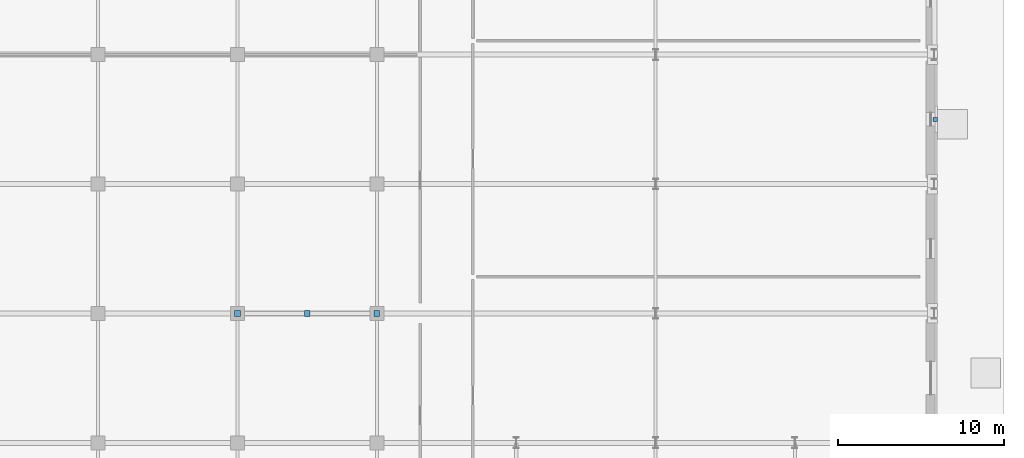
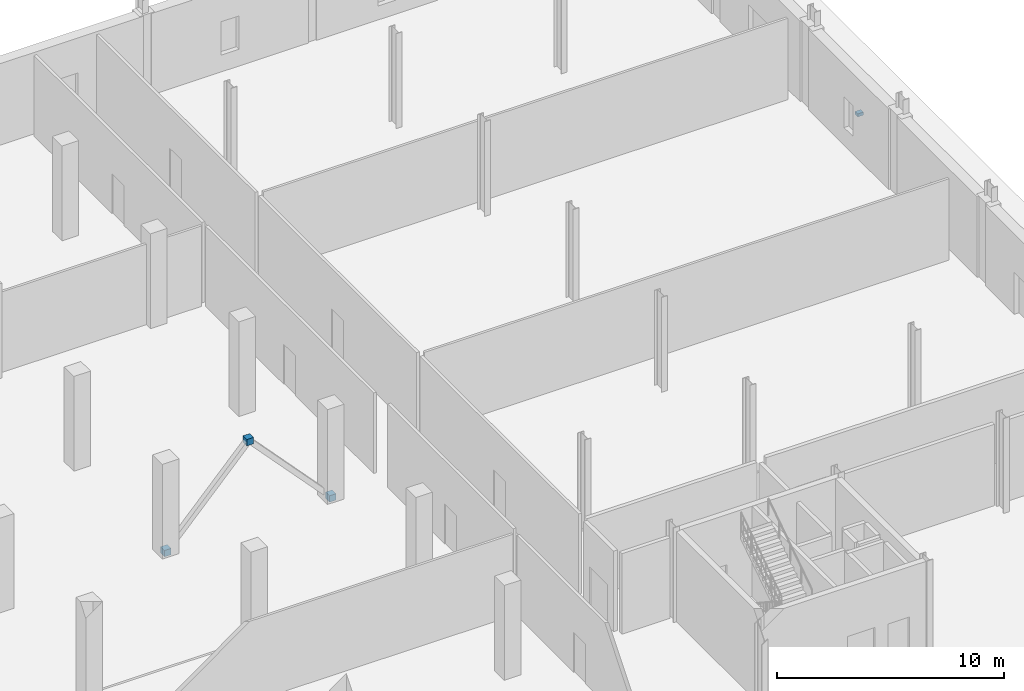
# One storey, part 66 of 80: 4 discrete accessories.
"""IFC4 building model written with IfcOpenShell, lengths in metres."""

from ifc_helpers import new_model, si_unit, direction, frame, origin, origin_2d, place, context, subcontext, project, spatial, rectangle, extrude, material, layer, layer_set, type_object, element, save


model = new_model("IFC4")

# Units and contexts
model_context = context("Model", 3, precision=1e-05, world=origin(), true_north=direction((0.0, 1.0)))
body_context = subcontext(model_context, "Body", "Model", "MODEL_VIEW")
ifc_project = project(units=[si_unit("LENGTHUNIT", "METRE"), si_unit("AREAUNIT", "SQUARE_METRE"), si_unit("VOLUMEUNIT", "CUBIC_METRE"), si_unit("PLANEANGLEUNIT", "RADIAN"), si_unit("MASSUNIT", "GRAM", prefix="KILO")], contexts=[model_context])

# Site, building, storey
site_placement = place(None, origin())
site = spatial("IfcSite", under=ifc_project, at=site_placement, CompositionType="ELEMENT")
building_placement = place(site_placement, origin())
building = spatial("IfcBuilding", under=site, at=building_placement, Name="Nabrawat Pavilion Hospital", CompositionType="ELEMENT")
storey_placement = place(building_placement, origin())
storey = spatial("IfcBuildingStorey", under=building, at=storey_placement, Name="L00", CompositionType="ELEMENT", Elevation=0.0)

# Discrete accessories
ifc_material = material(Name="Steel S355", Category="steel")
ifc_layer_1 = layer(ifc_material, 0.02001953125, Name="Steel S355")
ifc_layer_set_1 = layer_set([ifc_layer_1], Name="Steel S355")
discrete_accessory_type_1 = type_object("IfcDiscreteAccessoryType", Name="Brace and Strut Gusset End Bracket 20", PredefinedType="BRACKET", material=ifc_layer_set_1)
for number, where, z_axis, x_axis, name in (
    (1, (155.39990234375, 93.60009765625, 4.3798828125), (0.0, 0.0, 1.0), (1.0, 0.0, 0.0), "L00 Brace and Strut Gusset End Connection 0096"),
    (2, (151.199951171875, 93.60009765625, -0.1201171875), (0.0, 0.0, 1.0), (1.0, 0.0, 0.0), "L00 Brace and Strut Gusset End Connection 0097"),
    (3, (159.60009765625, 93.60009765625, -0.1201171875), (0.0, 0.0, 1.0), (1.0, 0.0, 0.0), "L00 Brace and Strut Gusset End Connection 0098"),
):
    element("IfcDiscreteAccessory", number, at=place(storey_placement, frame(where, z_axis=z_axis, x_axis=x_axis)), inside=storey, type_object=discrete_accessory_type_1, Name=name, PredefinedType="BRACKET", context=body_context, shape_type="SweptSolid", body=[
        extrude(rectangle(XDim=0.340087890625, YDim=0.340087890625, at=origin_2d()), origin(), (0.0, 0.0, 1.0), 0.340087890625),
    ])
ifc_layer_2 = layer(ifc_material, 0.159912109375, Name="Steel S355")
ifc_layer_set_2 = layer_set([ifc_layer_2], Name="Steel S355")
discrete_accessory_type_2 = type_object("IfcDiscreteAccessoryType", Name="Facade Shading Support Steel Bracket", PredefinedType="BRACKET", material=ifc_layer_set_2)
discrete_accessory_placement = place(storey_placement, frame((193.2548828125, 105.300048828125, 1.69482421875), z_axis=(0.0, 0.0, 1.0), x_axis=(0.0, 1.0, 0.0)))
element("IfcDiscreteAccessory", 4, at=discrete_accessory_placement, inside=storey, type_object=discrete_accessory_type_2, Name="L00 Facade Shading Bracket 007", PredefinedType="BRACKET", context=body_context, shape_type="SweptSolid", body=[
    extrude(rectangle(XDim=0.239990234375, YDim=0.280029296875, at=origin_2d()), origin(), (0.0, 0.0, 1.0), 0.159912109375),
])

save(model, "model.ifc")
